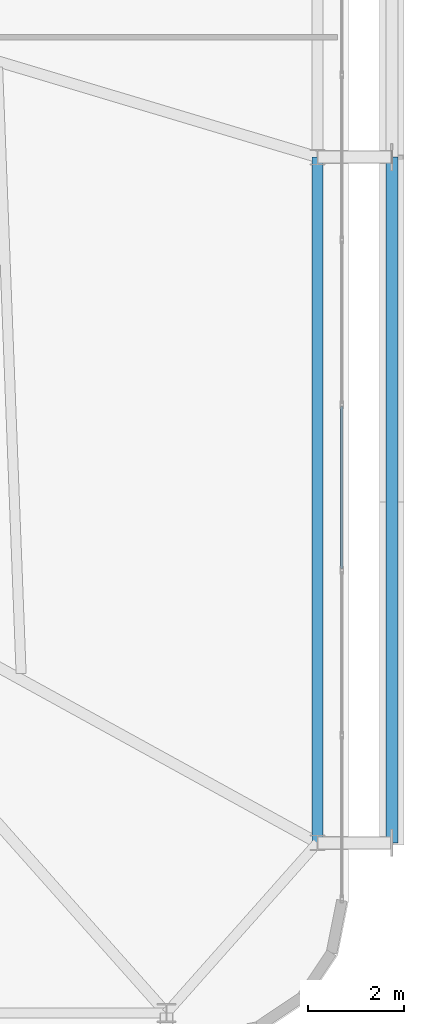
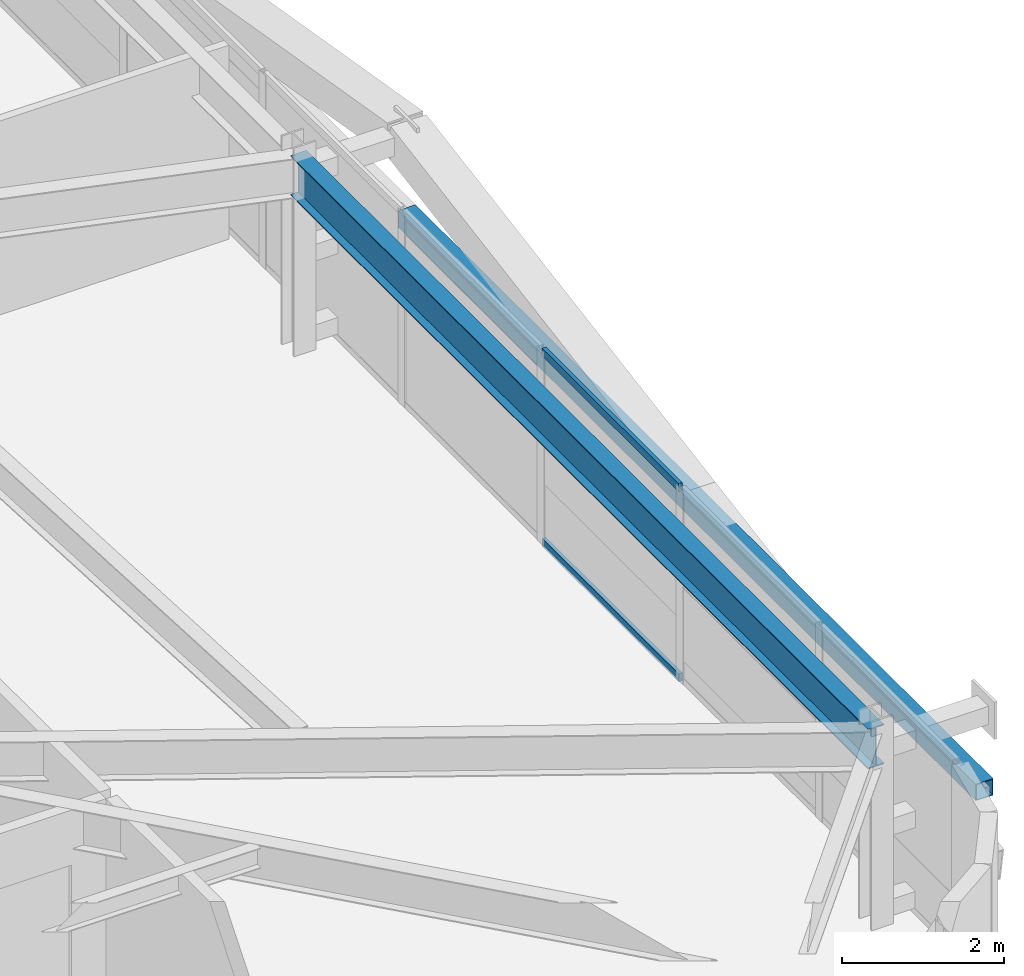
# One storey, part 27 of 58: 3 members, 1 beam, 1 element without a shape of its own.
"""IFC4 building model written with IfcOpenShell, lengths in metres."""

from ifc_helpers import new_model, si_unit, direction, frame, origin, origin_2d, place, context, subcontext, project, spatial, hollow_rectangle, i_section, extrude, source, transform, mapped, material, layer, layer_set, material_profile, profile_set, type_object, element, aggregate, save


model = new_model("IFC4")

# Units and contexts
model_context = context("Model", 3, precision=1e-05, world=origin(), true_north=direction((0.0, 1.0)))
body_context = subcontext(model_context, "Body", "Model", "MODEL_VIEW")
ifc_project = project(units=[si_unit("LENGTHUNIT", "METRE"), si_unit("AREAUNIT", "SQUARE_METRE"), si_unit("VOLUMEUNIT", "CUBIC_METRE"), si_unit("PLANEANGLEUNIT", "RADIAN"), si_unit("MASSUNIT", "GRAM", prefix="KILO")], contexts=[model_context])

# Site, building, storey
site_placement = place(None, origin())
site = spatial("IfcSite", under=ifc_project, at=site_placement, CompositionType="ELEMENT")
building_placement = place(site_placement, origin())
building = spatial("IfcBuilding", under=site, at=building_placement, Name="Taldren Reach Tower", CompositionType="ELEMENT")
storey_placement = place(building_placement, frame((0.0, 0.0, 35.699951171875)))
storey = spatial("IfcBuildingStorey", under=building, at=storey_placement, Name="L10", CompositionType="ELEMENT", Elevation=35.699951171875)

# Beam
ifc_material_1 = material(Name="Steel Gr 350 (350PLUS)", Category="steel")
ifc_material_profile_1 = material_profile(ifc_material_1, i_section(OverallWidth=0.22802734375, OverallDepth=0.60205078125, WebThickness=0.010498046875, FlangeThickness=0.014892578125, at=origin_2d()), Name="610UB101")
ifc_profile_set_1 = profile_set([ifc_material_profile_1], Name="Steel Gr 350 (350PLUS)")
beam_type = type_object("IfcBeamType", Name="BM-UB610B", PredefinedType="BEAM", material=ifc_profile_set_1)
shared_shape_1 = source(origin(), body_context, "Body", "SweptSolid", [
    extrude(i_section(OverallWidth=0.22802734375, OverallDepth=0.60205078125, WebThickness=0.010498046875, FlangeThickness=0.014892578125, at=origin_2d()), origin(), (0.0, 0.0, 1.0), 14.300048828125),
])
beam_placement = place(storey_placement, frame((64.35009765625, 5.699951171875, 2.629150390625), z_axis=(0.0, 1.0, 0.0), x_axis=(-1.0, 0.0, 0.0)))
element("IfcBeam", 1, at=beam_placement, inside=storey, type_object=beam_type, Name="Perimeter gable girder B1 E1-E2 L10", PredefinedType="BEAM", context=body_context, shape_type="MappedRepresentation", body=[
    mapped(shared_shape_1, transform((0.0, 0.0, 0.0), scale=1.0)),
])

# Member
ifc_material_2 = material(Name="Steel Gr 350 (C350L0)", Category="steel")
ifc_material_profile_2 = material_profile(ifc_material_2, hollow_rectangle(XDim=0.25, YDim=0.25, WallThickness=0.010009765625, at=origin_2d()), Name="250x250x10.0SHS")
ifc_profile_set_2 = profile_set([ifc_material_profile_2], Name="Steel Gr 350 (C350L0)")
member_type_1 = type_object("IfcMemberType", Name="MB-POST250", PredefinedType="POST", material=ifc_profile_set_2)
shared_shape_2 = source(origin(), body_context, "Body", "SweptSolid", [
    extrude(hollow_rectangle(XDim=0.25, YDim=0.25, WallThickness=0.010009765625, at=origin_2d()), origin(), (0.0, 0.0, 1.0), 14.300048828125),
])
member_1_placement = place(storey_placement, frame((65.89990234375, 5.699951171875, 1.43505859375), z_axis=(0.0, 1.0, 0.0), x_axis=(-1.0, 0.0, 0.0)))
element("IfcMember", 2, at=member_1_placement, inside=storey, type_object=member_type_1, Name="Exoskeleton mid-height ring chord B1-E1 L10", PredefinedType="POST", context=body_context, shape_type="MappedRepresentation", body=[
    mapped(shared_shape_2, transform((0.0, 0.0, 0.0), scale=1.0)),
])

# Curtain wall, members
ifc_material_3 = material(Name="Aluminium and Low-E Glass Unitised System", Category="aluminium")
ifc_layer = layer(ifc_material_3, 0.159912109375)
ifc_layer_set = layer_set([ifc_layer], Name="Aluminium and Low-E Glass Unitised System")
curtain_wall_type = type_object("IfcCurtainWallType", Name="CW-SYS-2", PredefinedType="NOTDEFINED", material=ifc_layer_set)
curtain_wall_placement = place(storey_placement, origin())
curtain_wall = element("IfcCurtainWall", 3, at=curtain_wall_placement, inside=storey, type_object=curtain_wall_type, Name="Unitised curtain wall CW-L10-E", PredefinedType="NOTDEFINED")
ifc_material_4 = material(Name="Anodised Aluminium 6063-T6", Category="aluminium")
ifc_material_profile_3 = material_profile(ifc_material_4, hollow_rectangle(XDim=0.054931640625, YDim=0.1201171875, WallThickness=0.0029296875, at=origin_2d()), Name="ALU-120x55x3RHS")
ifc_profile_set_3 = profile_set([ifc_material_profile_3], Name="Anodised Aluminium 6063-T6")
member_type_2 = type_object("IfcMemberType", Name="CW-TRN-135", PredefinedType="USERDEFINED", material=ifc_profile_set_3)
shared_shape_3 = source(origin(), body_context, "Body", "SweptSolid", [
    extrude(hollow_rectangle(XDim=0.054931640625, YDim=0.1201171875, WallThickness=0.0029296875, at=origin_2d()), origin(), (0.0, 0.0, 1.0), 3.37939453125),
])
member_2_placement = place(storey_placement, frame((64.860107421875, 11.42138671875, 0.027587890625), z_axis=(0.0, 1.0, 0.0), x_axis=(-1.0, 0.0, 0.0)))
member_2 = element("IfcMember", 4, at=member_2_placement, type_object=member_type_2, Name="CW-2 transom 3.1", ObjectType="TRANSOM", PredefinedType="USERDEFINED", context=body_context, shape_type="MappedRepresentation", body=[
    mapped(shared_shape_3, transform((0.0, 0.0, 0.0), scale=1.0)),
])
member_3_placement = place(storey_placement, frame((64.860107421875, 11.42138671875, 2.902587890625), z_axis=(0.0, 1.0, 0.0), x_axis=(-1.0, 0.0, 0.0)))
member_3 = element("IfcMember", 5, at=member_3_placement, type_object=member_type_2, Name="CW-2 transom 3.2", ObjectType="TRANSOM", PredefinedType="USERDEFINED", context=body_context, shape_type="MappedRepresentation", body=[
    mapped(shared_shape_3, transform((0.0, 0.0, 0.0), scale=1.0)),
])
aggregate(curtain_wall, [member_2, member_3])

save(model, "model.ifc")
